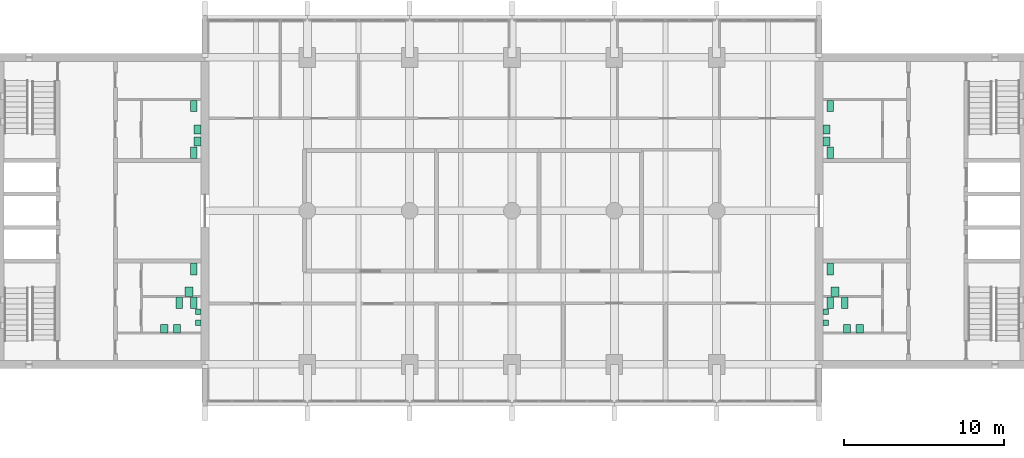
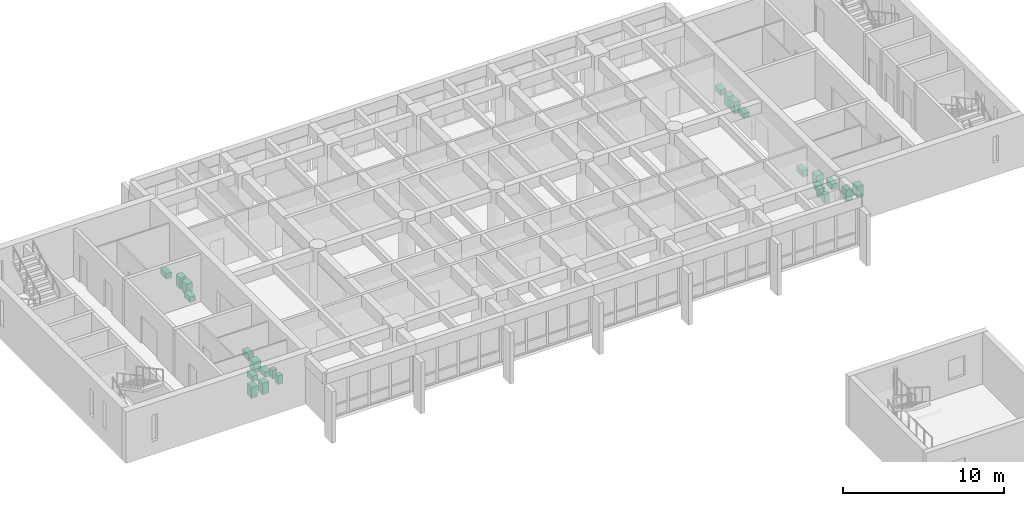
# One storey, part 19 of 19: 24 sanitary terminals.
"""IFC4 building model written with IfcOpenShell, lengths in metres."""

from ifc_helpers import new_model, si_unit, direction, frame, origin, origin_2d, place, context, subcontext, project, spatial, rectangle, extrude, material, type_object, element, save


model = new_model("IFC4")

# Units and contexts
model_context = context("Model", 3, precision=1e-05, world=origin(), true_north=direction((0.0, 1.0)))
body_context = subcontext(model_context, "Body", "Model", "MODEL_VIEW")
ifc_project = project(units=[si_unit("LENGTHUNIT", "METRE"), si_unit("AREAUNIT", "SQUARE_METRE"), si_unit("VOLUMEUNIT", "CUBIC_METRE"), si_unit("PLANEANGLEUNIT", "RADIAN"), si_unit("MASSUNIT", "GRAM", prefix="KILO")], contexts=[model_context])

# Site, building, storey
site_placement = place(None, origin())
site = spatial("IfcSite", under=ifc_project, at=site_placement, CompositionType="ELEMENT")
building_placement = place(site_placement, origin())
building = spatial("IfcBuilding", under=site, at=building_placement, Name="Fogon Plaza Fire Station and Headquarters Tower", CompositionType="ELEMENT")
storey_placement = place(building_placement, frame((0.0, 0.0, 21.0)))
storey = spatial("IfcBuildingStorey", under=building, at=storey_placement, Name="L05", CompositionType="ELEMENT", Elevation=21.0)

# Sanitary terminals
ifc_material_1 = material(Name="Vitreous china")
sanitary_terminal_type_1 = type_object("IfcSanitaryTerminalType", Name="Accessible Hand Basin 600x500", PredefinedType="WASHHANDBASIN", material=ifc_material_1)
for number, where, z_axis, x_axis, name in (
    (1, (24.60009765625, 38.14990234375, 0.0), (0.0, 0.0, 1.0), (1.0, 0.0, 0.0), "Accessible Hand Basin"),
    (2, (65.0, 38.14990234375, 0.0), (0.0, 0.0, 1.0), (1.0, 0.0, 0.0), "Accessible Hand Basin"),
):
    element("IfcSanitaryTerminal", number, at=place(storey_placement, frame(where, z_axis=z_axis, x_axis=x_axis)), inside=storey, type_object=sanitary_terminal_type_1, Name=name, PredefinedType="WASHHANDBASIN", context=body_context, shape_type="SweptSolid", body=[
        extrude(rectangle(XDim=0.5, YDim=0.60009765625, at=origin_2d()), origin(), (0.0, 0.0, 1.0), 0.800048828125),
    ])
ifc_material_2 = material(Name="Vitreous china")
sanitary_terminal_type_2 = type_object("IfcSanitaryTerminalType", Name="Accessible WC Pan 400x750", PredefinedType="TOILETPAN", material=ifc_material_2)
for number, where, z_axis, x_axis, name in (
    (3, (24.89990234375, 39.550048828125, 0.0), (0.0, 0.0, 1.0), (1.0, 0.0, 0.0), "Accessible WC Pan"),
    (4, (64.699951171875, 39.550048828125, 0.0), (0.0, 0.0, 1.0), (1.0, 0.0, 0.0), "Accessible WC Pan"),
):
    element("IfcSanitaryTerminal", number, at=place(storey_placement, frame(where, z_axis=z_axis, x_axis=x_axis)), inside=storey, type_object=sanitary_terminal_type_2, Name=name, PredefinedType="TOILETPAN", context=body_context, shape_type="SweptSolid", body=[
        extrude(rectangle(XDim=0.39990234375, YDim=0.75, at=origin_2d()), origin(), (0.0, 0.0, 1.0), 0.47998046875),
    ])
ifc_material_3 = material(Name="Vitreous china")
sanitary_terminal_type_3 = type_object("IfcSanitaryTerminalType", Name="Hand Basin 550x450", PredefinedType="WASHHANDBASIN", material=ifc_material_3)
for number, where, z_axis, x_axis, name in (
    (5, (23.85009765625, 35.824951171875, 0.0), (0.0, 0.0, 1.0), (1.0, 0.0, 0.0), "Hand Basin"),
    (6, (23.050048828125, 35.824951171875, 0.0), (0.0, 0.0, 1.0), (1.0, 0.0, 0.0), "Hand Basin"),
    (7, (25.125, 47.52490234375, 0.0), (0.0, 0.0, 1.0), (1.0, 0.0, 0.0), "Hand Basin"),
    (8, (25.125, 48.27490234375, 0.0), (0.0, 0.0, 1.0), (1.0, 0.0, 0.0), "Hand Basin"),
    (9, (65.75, 35.824951171875, 0.0), (0.0, 0.0, 1.0), (1.0, 0.0, 0.0), "Hand Basin"),
    (10, (66.550048828125, 35.824951171875, 0.0), (0.0, 0.0, 1.0), (1.0, 0.0, 0.0), "Hand Basin"),
    (11, (64.47509765625, 47.52490234375, 0.0), (0.0, 0.0, 1.0), (1.0, 0.0, 0.0), "Hand Basin"),
    (12, (64.47509765625, 48.27490234375, 0.0), (0.0, 0.0, 1.0), (1.0, 0.0, 0.0), "Hand Basin"),
):
    element("IfcSanitaryTerminal", number, at=place(storey_placement, frame(where, z_axis=z_axis, x_axis=x_axis)), inside=storey, type_object=sanitary_terminal_type_3, Name=name, PredefinedType="WASHHANDBASIN", context=body_context, shape_type="SweptSolid", body=[
        extrude(rectangle(XDim=0.449951171875, YDim=0.550048828125, at=origin_2d()), origin(), (0.0, 0.0, 1.0), 0.85009765625),
    ])
ifc_material_4 = material(Name="Vitreous china")
sanitary_terminal_type_4 = type_object("IfcSanitaryTerminalType", Name="Urinal 350x350", PredefinedType="URINAL", material=ifc_material_4)
for number, where, z_axis, x_axis, name in (
    (13, (25.175048828125, 36.199951171875, 0.0), (0.0, 0.0, 1.0), (1.0, 0.0, 0.0), "Urinal"),
    (14, (25.175048828125, 36.89990234375, 0.0), (0.0, 0.0, 1.0), (1.0, 0.0, 0.0), "Urinal"),
    (15, (64.425048828125, 36.199951171875, 0.0), (0.0, 0.0, 1.0), (1.0, 0.0, 0.0), "Urinal"),
    (16, (64.425048828125, 36.89990234375, 0.0), (0.0, 0.0, 1.0), (1.0, 0.0, 0.0), "Urinal"),
):
    element("IfcSanitaryTerminal", number, at=place(storey_placement, frame(where, z_axis=z_axis, x_axis=x_axis)), inside=storey, type_object=sanitary_terminal_type_4, Name=name, PredefinedType="URINAL", context=body_context, shape_type="SweptSolid", body=[
        extrude(rectangle(XDim=0.35009765625, YDim=0.35009765625, at=origin_2d()), origin(), (0.0, 0.0, 1.0), 0.64990234375),
    ])
ifc_material_5 = material(Name="Vitreous china")
sanitary_terminal_type_5 = type_object("IfcSanitaryTerminalType", Name="WC Pan 400x700", PredefinedType="TOILETPAN", material=ifc_material_5)
for number, where, z_axis, x_axis, name in (
    (17, (24.89990234375, 37.449951171875, 0.0), (0.0, 0.0, 1.0), (1.0, 0.0, 0.0), "WC Pan"),
    (18, (24.0, 37.449951171875, 0.0), (0.0, 0.0, 1.0), (1.0, 0.0, 0.0), "WC Pan"),
    (19, (24.89990234375, 49.75, 0.0), (0.0, 0.0, 1.0), (1.0, 0.0, 0.0), "WC Pan"),
    (20, (24.89990234375, 46.824951171875, 0.0), (0.0, 0.0, 1.0), (1.0, 0.0, 0.0), "WC Pan"),
    (21, (64.699951171875, 37.449951171875, 0.0), (0.0, 0.0, 1.0), (1.0, 0.0, 0.0), "WC Pan"),
    (22, (65.60009765625, 37.449951171875, 0.0), (0.0, 0.0, 1.0), (1.0, 0.0, 0.0), "WC Pan"),
    (23, (64.699951171875, 49.75, 0.0), (0.0, 0.0, 1.0), (1.0, 0.0, 0.0), "WC Pan"),
    (24, (64.699951171875, 46.824951171875, 0.0), (0.0, 0.0, 1.0), (1.0, 0.0, 0.0), "WC Pan"),
):
    element("IfcSanitaryTerminal", number, at=place(storey_placement, frame(where, z_axis=z_axis, x_axis=x_axis)), inside=storey, type_object=sanitary_terminal_type_5, Name=name, PredefinedType="TOILETPAN", context=body_context, shape_type="SweptSolid", body=[
        extrude(rectangle(XDim=0.39990234375, YDim=0.699951171875, at=origin_2d()), origin(), (0.0, 0.0, 1.0), 0.39990234375),
    ])

save(model, "model.ifc")
